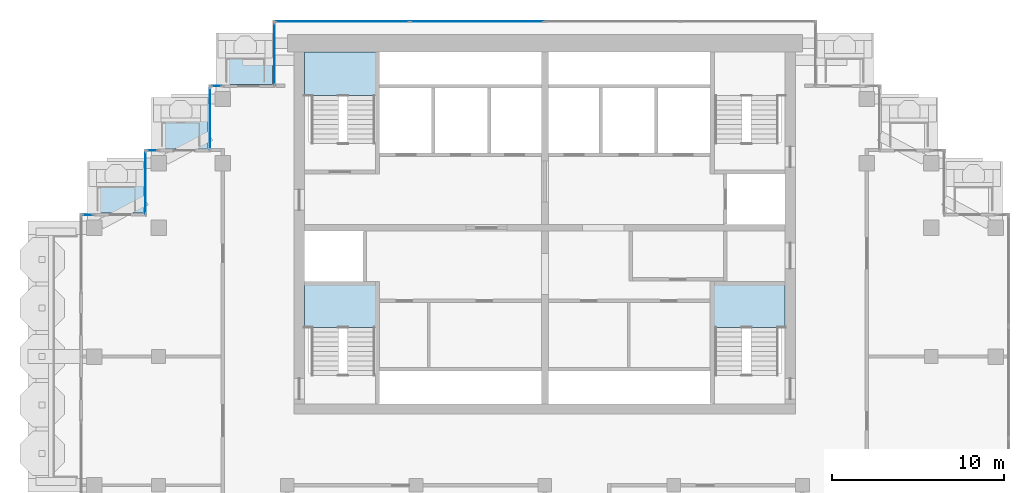
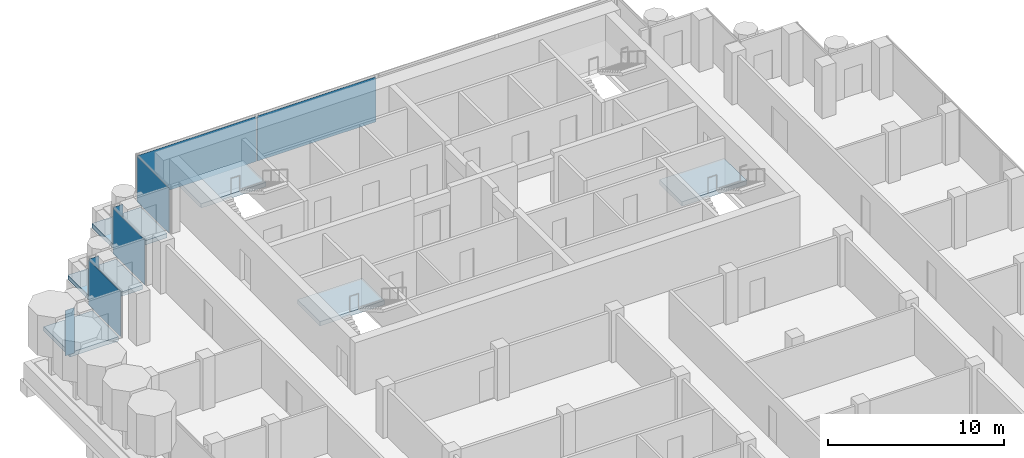
# One storey, part 9 of 18: 8 plates, 6 slabs, 10 elements without a shape of their own.
"""IFC4 building model written with IfcOpenShell, lengths in metres."""

import ifcopenshell
import ifcopenshell.guid

model = None  # the IFC model being written
_history = None  # IfcOwnerHistory: only IFC2X3 demands one
_inside = {}  # id of a spatial element -> (the spatial element, [elements in it])
_under = {}  # id of a project, library or spatial element -> (it, [spatial elements below it])
_declared = {}  # id of a project -> (the project, [libraries it declares])
_typed = {}  # id of a type object -> (the type object, [elements of that type])
_made_of = {}  # id of a material, layer set ... -> (it, [elements and type objects made of it])


def new_model(schema):
    """Start an empty IFC model of exactly this schema.

    Asked for "IFC4X3", IfcOpenShell would pick the latest addendum, in which some entities
    have other attributes; the version numbers below select the first issue.
    IFC2X3 requires an IfcOwnerHistory on every rooted entity: one is made here for all.
    """
    global model, _history
    if schema == "IFC4X3":
        model = ifcopenshell.file(schema_version=(4, 3, 0, 0))
    else:
        model = ifcopenshell.file(schema=schema)
    _inside.clear()
    _under.clear()
    _declared.clear()
    _typed.clear()
    _made_of.clear()
    _history = None
    if model.schema == "IFC2X3":
        org = make("IfcOrganization", Name="unknown")
        user = make(
            "IfcPersonAndOrganization",
            ThePerson=make("IfcPerson", FamilyName="unknown"),
            TheOrganization=org,
        )
        app = make(
            "IfcApplication",
            ApplicationDeveloper=org,
            Version="unknown",
            ApplicationFullName="unknown",
            ApplicationIdentifier="unknown",
        )
        _history = make(
            "IfcOwnerHistory",
            OwningUser=user,
            OwningApplication=app,
            ChangeAction="ADDED",
            CreationDate=0,
        )
    return model


def make(cls, **values):
    """One entity of the class cls with the attributes given. An attribute that is None is left unset."""
    return model.create_entity(
        cls, **{name: value for name, value in values.items() if value is not None}
    )


def rooted(cls, **values):
    """An entity with a GlobalId (a new one), such as an element, a storey or a relation."""
    return make(cls, GlobalId=ifcopenshell.guid.new(), OwnerHistory=_history, **values)


def si_unit(unit_type, name, prefix=None):
    """IfcSIUnit, for example si_unit("LENGTHUNIT", "METRE", prefix="MILLI")."""
    return make("IfcSIUnit", UnitType=unit_type, Prefix=prefix, Name=name)


def assignment(units):
    """IfcUnitAssignment: the units of a project."""
    return None if units is None else make("IfcUnitAssignment", Units=units)


def point(xyz):
    """IfcCartesianPoint."""
    return None if xyz is None else make("IfcCartesianPoint", Coordinates=xyz)


def direction(xyz):
    """IfcDirection."""
    return None if xyz is None else make("IfcDirection", DirectionRatios=xyz)


def frame(location, z_axis=None, x_axis=None):
    """IfcAxis2Placement3D, a coordinate frame: its origin and axes. An axis left out is left unset."""
    return make(
        "IfcAxis2Placement3D",
        Location=point(location),
        Axis=direction(z_axis),
        RefDirection=direction(x_axis),
    )


def frame_2d(location, x_axis=None):
    """IfcAxis2Placement2D, a coordinate frame in the plane: its origin and x axis."""
    return make(
        "IfcAxis2Placement2D", Location=point(location), RefDirection=direction(x_axis)
    )


def origin():
    """The frame at (0, 0, 0) with its axes left unset."""
    return frame((0.0, 0.0, 0.0))


def origin_2d():
    """The frame at (0, 0) in the plane with its x axis left unset."""
    return frame_2d((0.0, 0.0))


def place(relative_to, where):
    """IfcLocalPlacement: puts the frame where relative to a parent placement (None: the world)."""
    return make(
        "IfcLocalPlacement", PlacementRelTo=relative_to, RelativePlacement=where
    )


def context(
    kind, dimensions, precision=None, world=None, true_north=None, identifier=None
):
    """IfcGeometricRepresentationContext, for example the 3D "Model" context."""
    return make(
        "IfcGeometricRepresentationContext",
        ContextIdentifier=identifier,
        ContextType=kind,
        CoordinateSpaceDimension=dimensions,
        Precision=precision,
        WorldCoordinateSystem=world,
        TrueNorth=true_north,
    )


def subcontext(parent, identifier, kind, view, scale=None):
    """IfcGeometricRepresentationSubContext, for example "Body" below "Model"."""
    return make(
        "IfcGeometricRepresentationSubContext",
        ContextIdentifier=identifier,
        ContextType=kind,
        ParentContext=parent,
        TargetScale=scale,
        TargetView=view,
    )


def project(units=None, contexts=None):
    """IfcProject with its units and contexts."""
    return rooted(
        "IfcProject",
        Name="project",
        RepresentationContexts=contexts,
        UnitsInContext=assignment(units),
    )


def spatial(cls, under=None, at=None, **own):
    """A site, building, storey or space (cls), placed at a placement, below another one or the project."""
    s = rooted(cls, ObjectPlacement=at, **own)
    if under is not None:
        _under.setdefault(under.id(), (under, []))[1].append(s)
    return s


def polyline(points):
    """IfcPolyline through the points."""
    return make("IfcPolyline", Points=[point(p) for p in points])


def profile(cls, at=None, kind="AREA", **sizes):
    """A parametric profile (cls). Its sizes go by their IFC names, for example OverallWidth=200.0."""
    return make(cls, ProfileType=kind, Position=at, **sizes)


def rectangle(**sizes):
    """IfcRectangleProfileDef."""
    return profile("IfcRectangleProfileDef", **sizes)


def outline(outer, holes=None, kind="AREA"):
    """IfcArbitraryClosedProfileDef: a profile drawn as a closed curve; with holes, ...WithVoids."""
    if holes is None:
        return make("IfcArbitraryClosedProfileDef", ProfileType=kind, OuterCurve=outer)
    return make(
        "IfcArbitraryProfileDefWithVoids",
        ProfileType=kind,
        OuterCurve=outer,
        InnerCurves=holes,
    )


def extrude(swept, where, along, depth):
    """IfcExtrudedAreaSolid: the profile swept, set in the frame where, extruded along a direction by depth."""
    return make(
        "IfcExtrudedAreaSolid",
        SweptArea=swept,
        Position=where,
        ExtrudedDirection=direction(along),
        Depth=depth,
    )


def shape(context_of_items, identifier, shape_type, items):
    """IfcShapeRepresentation: the items that make up one representation, for example the "Body"."""
    return make(
        "IfcShapeRepresentation",
        ContextOfItems=context_of_items,
        RepresentationIdentifier=identifier,
        RepresentationType=shape_type,
        Items=items,
    )


def material(Name=None, Category=None):
    """IfcMaterial."""
    return make("IfcMaterial", Name=Name, Category=Category)


def layer(
    of_material, thickness, ventilated=None, Name=None, Category=None, Priority=None
):
    """IfcMaterialLayer: one layer of a wall or slab, of a material (None: an air gap)."""
    return make(
        "IfcMaterialLayer",
        Material=of_material,
        LayerThickness=thickness,
        IsVentilated=ventilated,
        Name=Name,
        Category=Category,
        Priority=Priority,
    )


def layer_set(layers, Name=None):
    """IfcMaterialLayerSet."""
    return make("IfcMaterialLayerSet", MaterialLayers=layers, LayerSetName=Name)


def made_of(thing, what):
    """Note that an element or type object is made of a material, layer set ...; save() writes the relation."""
    if what is not None:
        _made_of.setdefault(what.id(), (what, []))[1].append(thing)
    return thing


def type_object(cls, material=None, **own):
    """A type object (cls), such as IfcWallType, which elements share."""
    return made_of(rooted(cls, **own), material)


def element(
    cls,
    number,
    at=None,
    inside=None,
    cuts=None,
    type_object=None,
    material=None,
    context=None,
    identifier="Body",
    shape_type=None,
    held_by="IfcProductDefinitionShape",
    body=None,
    shapes=None,
    **own,
):
    """One element of the class cls, such as IfcWall. Its Tag is "e" and its number.

    at: its placement. inside: the storey or other place that contains it. cuts: it is an
    opening in that element (IfcRelVoidsElement). A single representation is given by context,
    identifier, shape_type and body (its items); several are given by shapes. held_by: the class
    of the entity that holds the representations. save() writes the other relations.
    """
    e = rooted(cls, Tag="e%d" % number, ObjectPlacement=at, **own)
    if body is not None:
        shapes = [shape(context, identifier, shape_type, body)]
    if shapes is not None:
        e.Representation = make(held_by, Representations=shapes)
    if inside is not None:
        _inside.setdefault(inside.id(), (inside, []))[1].append(e)
    if cuts is not None:
        rooted(
            "IfcRelVoidsElement", RelatingBuildingElement=cuts, RelatedOpeningElement=e
        )
    if type_object is not None:
        _typed.setdefault(type_object.id(), (type_object, []))[1].append(e)
    return made_of(e, material)


def aggregate(whole, parts):
    """IfcRelAggregates: a whole, such as a stair, and the parts it consists of."""
    return rooted("IfcRelAggregates", RelatingObject=whole, RelatedObjects=parts)


def save(model, path):
    """Write the relations noted so far, then the file.

    IfcRelAggregates (storeys below a building ...), IfcRelContainedInSpatialStructure (elements
    in a storey), IfcRelDefinesByType, IfcRelAssociatesMaterial and IfcRelDeclares: one each for
    every whole, place, type object, material and project.
    """
    for whole, parts in _under.values():
        aggregate(whole, parts)
    for where, things in _inside.values():
        rooted(
            "IfcRelContainedInSpatialStructure",
            RelatedElements=things,
            RelatingStructure=where,
        )
    for kind, things in _typed.values():
        rooted("IfcRelDefinesByType", RelatedObjects=things, RelatingType=kind)
    for what, things in _made_of.values():
        rooted("IfcRelAssociatesMaterial", RelatedObjects=things, RelatingMaterial=what)
    for by, libraries in _declared.values():
        rooted("IfcRelDeclares", RelatingContext=by, RelatedDefinitions=libraries)
    model.write(path)


model = new_model("IFC4")

# Units and contexts
model_context = context("Model", 3, precision=1e-05, world=origin(), true_north=direction((0.0, 1.0)))
body_context = subcontext(model_context, "Body", "Model", "MODEL_VIEW")
ifc_project = project(units=[si_unit("LENGTHUNIT", "METRE"), si_unit("AREAUNIT", "SQUARE_METRE"), si_unit("VOLUMEUNIT", "CUBIC_METRE"), si_unit("PLANEANGLEUNIT", "RADIAN"), si_unit("MASSUNIT", "GRAM", prefix="KILO")], contexts=[model_context])

# Site, building, storey
site_placement = place(None, origin())
site = spatial("IfcSite", under=ifc_project, at=site_placement, CompositionType="ELEMENT")
building_placement = place(site_placement, origin())
building = spatial("IfcBuilding", under=site, at=building_placement, Name="Pilkhan Gate Tower", CompositionType="ELEMENT")
storey_placement = place(building_placement, frame((0.0, 0.0, 242.699951171875)))
storey = spatial("IfcBuildingStorey", under=building, at=storey_placement, Name="L63", CompositionType="ELEMENT", Elevation=242.699951171875)

# Slabs
ifc_material_1 = material(Name="Concrete C60/75", Category="concrete")
ifc_layer_1 = layer(ifc_material_1, 0.300048828125)
ifc_layer_set_1 = layer_set([ifc_layer_1], Name="Balcony tray slab TR300")
slab_type_1 = type_object("IfcSlabType", Name="Balcony tray slab TR300", PredefinedType="FLOOR", material=ifc_layer_set_1)
slab_1_placement = place(storey_placement, frame((0.0, 0.0, -0.300048828125)))
element("IfcSlab", 1, at=slab_1_placement, inside=storey, type_object=slab_type_1, Name="Balcony tray L63 N", PredefinedType="FLOOR", context=body_context, shape_type="SweptSolid", body=[
    extrude(outline(polyline([(59.14990234375, 90.85009765625), (59.14990234375, 93.85009765625), (55.949951171875, 93.85009765625), (55.949951171875, 90.85009765625), (59.14990234375, 90.85009765625)])), origin(), (0.0, 0.0, 1.0), 0.300048828125),
])
slab_2_placement = place(storey_placement, frame((0.0, 0.0, -0.300048828125)))
element("IfcSlab", 2, at=slab_2_placement, inside=storey, type_object=slab_type_1, Name="Balcony tray L63 N", PredefinedType="FLOOR", context=body_context, shape_type="SweptSolid", body=[
    extrude(outline(polyline([(55.3798828125, 87.1201171875), (55.3798828125, 90.10009765625), (52.199951171875, 90.10009765625), (52.199951171875, 87.1201171875), (55.3798828125, 87.1201171875)])), origin(), (0.0, 0.0, 1.0), 0.300048828125),
])
slab_3_placement = place(storey_placement, frame((0.0, 0.0, -0.300048828125)))
element("IfcSlab", 3, at=slab_3_placement, inside=storey, type_object=slab_type_1, Name="Balcony tray L63 N", PredefinedType="FLOOR", context=body_context, shape_type="SweptSolid", body=[
    extrude(outline(polyline([(51.6298828125, 83.3701171875), (51.6298828125, 86.35009765625), (48.449951171875, 86.35009765625), (48.449951171875, 83.3701171875), (51.6298828125, 83.3701171875)])), origin(), (0.0, 0.0, 1.0), 0.300048828125),
])

# Curtain wall, plates
ifc_material_2 = material(Name="Pale anodised aluminium, clear low-iron double glazing", Category="aluminium")
curtain_wall_type = type_object("IfcCurtainWallType", Name="Office unitised curtain wall CW-O2", PredefinedType="USERDEFINED", material=ifc_material_2)
curtain_wall_1_placement = place(storey_placement, origin())
curtain_wall_1 = element("IfcCurtainWall", 4, at=curtain_wall_1_placement, inside=storey, type_object=curtain_wall_type, Name="Office unitised curtain wall CW-O2 L63 N", ObjectType="UNITISED CURTAIN WALL", PredefinedType="USERDEFINED")
ifc_material_3 = material(Name="Clear low-iron double glazing", Category="glass")
ifc_layer_2 = layer(ifc_material_3, 0.031982421875)
ifc_layer_set_2 = layer_set([ifc_layer_2], Name="Glass panel CW-O2 32")
plate_type = type_object("IfcPlateType", Name="Glass panel CW-O2 32", PredefinedType="CURTAIN_PANEL", material=ifc_layer_set_2)
plate_1_placement = place(storey_placement, frame((63.203857421875, 94.5, 0.0), z_axis=(0.0, 0.0, 1.0), x_axis=(1.0, 0.0, 0.0)))
plate_1 = element("IfcPlate", 5, at=plate_1_placement, type_object=plate_type, Name="CW-O2 panel 1", PredefinedType="CURTAIN_PANEL", context=body_context, shape_type="SweptSolid", body=[
    extrude(rectangle(XDim=7.777587890625, YDim=0.031982421875, at=origin_2d()), origin(), (0.0, 0.0, 1.0), 3.135009765625),
])
plate_2_placement = place(storey_placement, frame((71.046142578125, 94.5, 0.0), z_axis=(0.0, 0.0, 1.0), x_axis=(1.0, 0.0, 0.0)))
plate_2 = element("IfcPlate", 6, at=plate_2_placement, type_object=plate_type, Name="CW-O2 panel 2", PredefinedType="CURTAIN_PANEL", context=body_context, shape_type="SweptSolid", body=[
    extrude(rectangle(XDim=7.777587890625, YDim=0.031982421875, at=origin_2d()), origin(), (0.0, 0.0, 1.0), 3.135009765625),
])
aggregate(curtain_wall_1, [plate_1, plate_2])

# Curtain wall, plate
curtain_wall_2_placement = place(storey_placement, origin())
curtain_wall_2 = element("IfcCurtainWall", 7, at=curtain_wall_2_placement, inside=storey, type_object=curtain_wall_type, Name="Office unitised curtain wall CW-O2 L63 W", ObjectType="UNITISED CURTAIN WALL", PredefinedType="USERDEFINED")
plate_3_placement = place(storey_placement, frame((59.25, 92.625, 0.0), z_axis=(0.0, 0.0, 1.0), x_axis=(0.0, 1.0, 0.0)))
plate_3 = element("IfcPlate", 8, at=plate_3_placement, type_object=plate_type, Name="CW-O2 panel 1", PredefinedType="CURTAIN_PANEL", context=body_context, shape_type="SweptSolid", body=[
    extrude(rectangle(XDim=3.6201171875, YDim=0.031982421875, at=origin_2d()), origin(), (0.0, 0.0, 1.0), 3.135009765625),
])
aggregate(curtain_wall_2, [plate_3])

curtain_wall_3_placement = place(storey_placement, origin())
curtain_wall_3 = element("IfcCurtainWall", 9, at=curtain_wall_3_placement, inside=storey, type_object=curtain_wall_type, Name="Office unitised curtain wall CW-O2 L63 N", ObjectType="UNITISED CURTAIN WALL", PredefinedType="USERDEFINED")
plate_4_placement = place(storey_placement, frame((55.875, 90.75, 0.0), z_axis=(0.0, 0.0, 1.0), x_axis=(1.0, 0.0, 0.0)))
plate_4 = element("IfcPlate", 10, at=plate_4_placement, type_object=plate_type, Name="CW-O2 panel 1", PredefinedType="CURTAIN_PANEL", context=body_context, shape_type="SweptSolid", body=[
    extrude(rectangle(XDim=0.6201171875, YDim=0.031982421875, at=origin_2d()), origin(), (0.0, 0.0, 1.0), 3.135009765625),
])
aggregate(curtain_wall_3, [plate_4])

curtain_wall_4_placement = place(storey_placement, origin())
curtain_wall_4 = element("IfcCurtainWall", 11, at=curtain_wall_4_placement, inside=storey, type_object=curtain_wall_type, Name="Office unitised curtain wall CW-O2 L63 W", ObjectType="UNITISED CURTAIN WALL", PredefinedType="USERDEFINED")
plate_5_placement = place(storey_placement, frame((55.5, 88.875, 0.0), z_axis=(0.0, 0.0, 1.0), x_axis=(0.0, 1.0, 0.0)))
plate_5 = element("IfcPlate", 12, at=plate_5_placement, type_object=plate_type, Name="CW-O2 panel 1", PredefinedType="CURTAIN_PANEL", context=body_context, shape_type="SweptSolid", body=[
    extrude(rectangle(XDim=3.6201171875, YDim=0.031982421875, at=origin_2d()), origin(), (0.0, 0.0, 1.0), 3.135009765625),
])
aggregate(curtain_wall_4, [plate_5])

curtain_wall_5_placement = place(storey_placement, origin())
curtain_wall_5 = element("IfcCurtainWall", 13, at=curtain_wall_5_placement, inside=storey, type_object=curtain_wall_type, Name="Office unitised curtain wall CW-O2 L63 N", ObjectType="UNITISED CURTAIN WALL", PredefinedType="USERDEFINED")
plate_6_placement = place(storey_placement, frame((52.125, 87.0, 0.0), z_axis=(0.0, 0.0, 1.0), x_axis=(1.0, 0.0, 0.0)))
plate_6 = element("IfcPlate", 14, at=plate_6_placement, type_object=plate_type, Name="CW-O2 panel 1", PredefinedType="CURTAIN_PANEL", context=body_context, shape_type="SweptSolid", body=[
    extrude(rectangle(XDim=0.6201171875, YDim=0.031982421875, at=origin_2d()), origin(), (0.0, 0.0, 1.0), 3.135009765625),
])
aggregate(curtain_wall_5, [plate_6])

curtain_wall_6_placement = place(storey_placement, origin())
curtain_wall_6 = element("IfcCurtainWall", 15, at=curtain_wall_6_placement, inside=storey, type_object=curtain_wall_type, Name="Office unitised curtain wall CW-O2 L63 W", ObjectType="UNITISED CURTAIN WALL", PredefinedType="USERDEFINED")
plate_7_placement = place(storey_placement, frame((51.75, 85.125, 0.0), z_axis=(0.0, 0.0, 1.0), x_axis=(0.0, 1.0, 0.0)))
plate_7 = element("IfcPlate", 16, at=plate_7_placement, type_object=plate_type, Name="CW-O2 panel 1", PredefinedType="CURTAIN_PANEL", context=body_context, shape_type="SweptSolid", body=[
    extrude(rectangle(XDim=3.6201171875, YDim=0.031982421875, at=origin_2d()), origin(), (0.0, 0.0, 1.0), 3.135009765625),
])
aggregate(curtain_wall_6, [plate_7])

curtain_wall_7_placement = place(storey_placement, origin())
curtain_wall_7 = element("IfcCurtainWall", 17, at=curtain_wall_7_placement, inside=storey, type_object=curtain_wall_type, Name="Office unitised curtain wall CW-O2 L63 N", ObjectType="UNITISED CURTAIN WALL", PredefinedType="USERDEFINED")
plate_8_placement = place(storey_placement, frame((48.375, 83.25, 0.0), z_axis=(0.0, 0.0, 1.0), x_axis=(1.0, 0.0, 0.0)))
plate_8 = element("IfcPlate", 18, at=plate_8_placement, type_object=plate_type, Name="CW-O2 panel 1", PredefinedType="CURTAIN_PANEL", context=body_context, shape_type="SweptSolid", body=[
    extrude(rectangle(XDim=0.6201171875, YDim=0.031982421875, at=origin_2d()), origin(), (0.0, 0.0, 1.0), 3.135009765625),
])
aggregate(curtain_wall_7, [plate_8])

# Stair, slab
ifc_material_4 = material(Name="Concrete C40/50 precast", Category="concrete")
stair_type_1 = type_object("IfcStairType", Name="Stair ST1 164x280", PredefinedType="HALF_TURN_STAIR", material=ifc_material_4)
stair_1_placement = place(storey_placement, origin())
stair_1 = element("IfcStair", 19, at=stair_1_placement, inside=storey, type_object=stair_type_1, Name="Stair ST1 L63", PredefinedType="HALF_TURN_STAIR")
ifc_material_5 = material(Name="Concrete C40/50", Category="concrete")
ifc_layer_3 = layer(ifc_material_5, 0.199951171875)
ifc_layer_set_3 = layer_set([ifc_layer_3], Name="Stair landing SL200")
slab_type_2 = type_object("IfcSlabType", Name="Stair landing SL200", PredefinedType="LANDING", material=ifc_layer_set_3)
slab_4_placement = place(storey_placement, frame((0.0, 0.0, 1.5)))
slab_4 = element("IfcSlab", 20, at=slab_4_placement, type_object=slab_type_2, Name="ST1 landing 1", PredefinedType="LANDING", context=body_context, shape_type="SweptSolid", body=[
    extrude(outline(polyline([(89.0, 76.699951171875), (89.0, 79.25), (84.75, 79.25), (84.75, 76.699951171875), (89.0, 76.699951171875)])), origin(), (0.0, 0.0, 1.0), 0.300048828125),
])
aggregate(stair_1, [slab_4])

stair_type_2 = type_object("IfcStairType", Name="Stair ST2 164x280", PredefinedType="HALF_TURN_STAIR", material=ifc_material_4)
stair_2_placement = place(storey_placement, origin())
stair_2 = element("IfcStair", 21, at=stair_2_placement, inside=storey, type_object=stair_type_2, Name="Stair ST2 L63", PredefinedType="HALF_TURN_STAIR")
slab_5_placement = place(storey_placement, frame((0.0, 0.0, 1.5)))
slab_5 = element("IfcSlab", 22, at=slab_5_placement, type_object=slab_type_2, Name="ST2 landing 1", PredefinedType="LANDING", context=body_context, shape_type="SweptSolid", body=[
    extrude(outline(polyline([(65.25, 76.699951171875), (65.25, 79.25), (61.0, 79.25), (61.0, 76.699951171875), (65.25, 76.699951171875)])), origin(), (0.0, 0.0, 1.0), 0.300048828125),
])
aggregate(stair_2, [slab_5])

stair_type_3 = type_object("IfcStairType", Name="Stair ST3 164x280", PredefinedType="HALF_TURN_STAIR", material=ifc_material_4)
stair_3_placement = place(storey_placement, origin())
stair_3 = element("IfcStair", 23, at=stair_3_placement, inside=storey, type_object=stair_type_3, Name="Stair ST3 L63", PredefinedType="HALF_TURN_STAIR")
slab_6_placement = place(storey_placement, frame((0.0, 0.0, 1.5)))
slab_6 = element("IfcSlab", 24, at=slab_6_placement, type_object=slab_type_2, Name="ST3 landing 1", PredefinedType="LANDING", context=body_context, shape_type="SweptSolid", body=[
    extrude(outline(polyline([(65.25, 90.199951171875), (65.25, 92.75), (61.0, 92.75), (61.0, 90.199951171875), (65.25, 90.199951171875)])), origin(), (0.0, 0.0, 1.0), 0.300048828125),
])
aggregate(stair_3, [slab_6])

save(model, "model.ifc")
